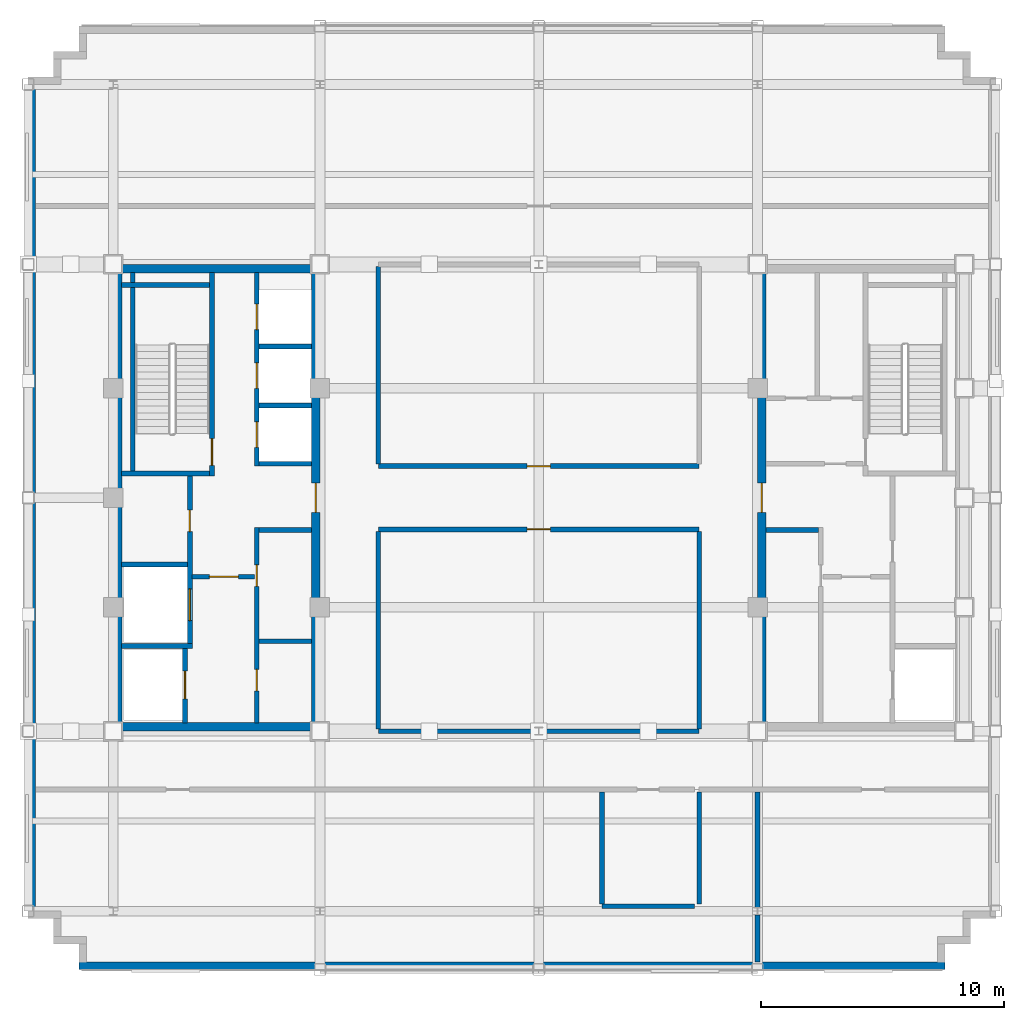
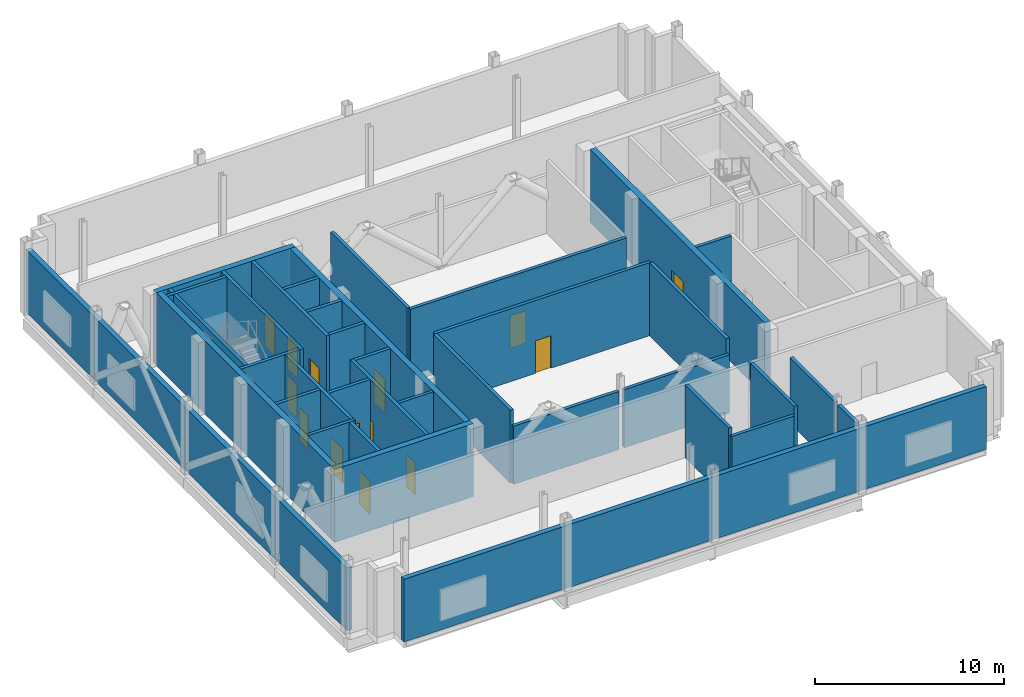
# One storey, part 6 of 12: 36 walls, 14 doors, 14 openings.
"""IFC4 building model written with IfcOpenShell, lengths in metres."""

from ifc_helpers import new_model, si_unit, direction, frame, frame_2d, origin, place, context, subcontext, project, spatial, rectangle, extrude, source, transform, mapped, material, layer, layer_set, type_object, type_shapes, element, fill, save


model = new_model("IFC4")

# Units and contexts
model_context = context("Model", 3, precision=1e-05, world=origin(), true_north=direction((0.0, 1.0)))
body_context = subcontext(model_context, "Body", "Model", "MODEL_VIEW")
ifc_project = project(units=[si_unit("LENGTHUNIT", "METRE"), si_unit("AREAUNIT", "SQUARE_METRE"), si_unit("VOLUMEUNIT", "CUBIC_METRE"), si_unit("PLANEANGLEUNIT", "RADIAN"), si_unit("MASSUNIT", "GRAM", prefix="KILO")], contexts=[model_context])

# Site, building, storey
site_placement = place(None, origin())
site = spatial("IfcSite", under=ifc_project, at=site_placement, CompositionType="ELEMENT")
building_placement = place(site_placement, origin())
building = spatial("IfcBuilding", under=site, at=building_placement, Name="Nuvemarco Arch Tower", CompositionType="ELEMENT")
storey_placement = place(building_placement, frame((0.0, 0.0, 252.949951171875)))
storey = spatial("IfcBuildingStorey", under=building, at=storey_placement, Name="L67", CompositionType="ELEMENT", Elevation=252.949951171875)

# Walls
ifc_material_1 = material(Name="Precast concrete C45/55", Category="concrete")
ifc_layer_1 = layer(ifc_material_1, 0.300048828125, Name="EW-HIGH-300")
ifc_layer_set_1 = layer_set([ifc_layer_1], Name="Precast concrete C45/55")
wall_type_1 = type_object("IfcWallType", Name="EW-HIGH-300", PredefinedType="STANDARD", material=ifc_layer_set_1)
wall_1_placement = place(storey_placement, frame((-18.89990234375, -19.25, 0.0), z_axis=(0.0, 0.0, 1.0), x_axis=(1.0, 0.0, 0.0)))
element("IfcWall", 1, at=wall_1_placement, inside=storey, type_object=wall_type_1, Name="L67 exterior precast facade wall 1", PredefinedType="STANDARD", context=body_context, shape_type="SweptSolid", body=[
    extrude(rectangle(XDim=35.599853515625, YDim=0.300048828125, at=frame_2d((17.7998046875, 0.0))), origin(), (0.0, 0.0, 1.0), 4.054931640625),
])
wall_2_placement = place(storey_placement, frame((-20.85009765625, -17.00390625, 0.0), z_axis=(0.0, 0.0, 1.0), x_axis=(0.0, 1.0, 0.0)))
element("IfcWall", 2, at=wall_2_placement, inside=storey, type_object=wall_type_1, Name="L67 exterior precast facade wall 16", PredefinedType="STANDARD", context=body_context, shape_type="SweptSolid", body=[
    extrude(rectangle(XDim=34.0078125, YDim=0.300048828125, at=frame_2d((17.00390625, 0.0))), origin(), (0.0, 0.0, 1.0), 4.054931640625),
])
ifc_material_2 = material(Name="Concrete C50/60", Category="concrete")
ifc_layer_2 = layer(ifc_material_2, 0.35009765625, Name="WL-CORE-350")
ifc_layer_set_2 = layer_set([ifc_layer_2], Name="Concrete C50/60")
wall_type_2 = type_object("IfcWallType", Name="WL-CORE-350", PredefinedType="SHEAR", material=ifc_layer_set_2)
for number, where, z_axis, x_axis, name in (
    (3, (-17.5, -9.425048828125, 0.0), (0.0, 0.0, 1.0), (1.0, 0.0, 0.0), "L67 W-core shear wall S"),
    (4, (-17.5, 9.425048828125, 0.0), (0.0, 0.0, 1.0), (1.0, 0.0, 0.0), "L67 W-core shear wall N"),
):
    element("IfcWall", number, at=place(storey_placement, frame(where, z_axis=z_axis, x_axis=x_axis)), inside=storey, type_object=wall_type_2, Name=name, PredefinedType="SHEAR", context=body_context, shape_type="SweptSolid", body=[
        extrude(rectangle(XDim=8.5, YDim=0.35009765625, at=frame_2d((4.25, 0.0))), origin(), (0.0, 0.0, 1.0), 4.719970703125),
    ])
wall_3_placement = place(storey_placement, frame((-17.324951171875, -9.2548828125, 0.0), z_axis=(0.0, 0.0, 1.0), x_axis=(0.0, 1.0, 0.0)))
element("IfcWall", 5, at=wall_3_placement, inside=storey, type_object=wall_type_2, Name="L67 W-core shear wall W", PredefinedType="SHEAR", context=body_context, shape_type="SweptSolid", body=[
    extrude(rectangle(XDim=18.509765625, YDim=0.35009765625, at=frame_2d((9.2548828125, 0.0))), origin(), (0.0, 0.0, 1.0), 4.719970703125),
])

# Wall, opening, door
wall_4_placement = place(storey_placement, frame((-9.175048828125, -9.2548828125, 0.0), z_axis=(0.0, 0.0, 1.0), x_axis=(0.0, 1.0, 0.0)))
wall_4 = element("IfcWall", 6, at=wall_4_placement, inside=storey, type_object=wall_type_2, Name="L67 W-core shear wall E", PredefinedType="SHEAR", context=body_context, shape_type="SweptSolid", body=[
    extrude(rectangle(XDim=18.509765625, YDim=0.35009765625, at=frame_2d((9.2548828125, 0.0))), origin(), (0.0, 0.0, 1.0), 4.719970703125),
])
opening_1_placement = place(wall_4_placement, frame((8.655029296875, 0.0, 0.0)))
opening_1 = element("IfcOpeningElement", 7, at=opening_1_placement, cuts=wall_4, Name="Opening FD-2", PredefinedType="OPENING", context=body_context, shape_type="SweptSolid", body=[
    extrude(rectangle(XDim=1.199951171875, YDim=2.14990234375, at=frame_2d((0.60009765625, 1.074951171875))), frame((0.0, 0.18505859375, 0.0), z_axis=(0.0, -1.0, 0.0), x_axis=(1.0, 0.0, 0.0)), (0.0, 0.0, 1.0), 0.3701171875),
])
ifc_material_3 = material(Name="Anodised steel fire door", Category="steel")
door_type_1 = type_object("IfcDoorType", Name="DR-FFLOB-FD", OperationType="NOTDEFINED", PredefinedType="DOOR", material=ifc_material_3)
shared_shape_1 = source(origin(), body_context, "Body", "SweptSolid", [
    extrude(rectangle(XDim=1.199951171875, YDim=2.14990234375, at=frame_2d((0.60009765625, 1.074951171875))), frame((0.0, 0.02490234375, 0.0), z_axis=(0.0, -1.0, 0.0), x_axis=(1.0, 0.0, 0.0)), (0.0, 0.0, 1.0), 0.050048828125),
])
type_shapes(door_type_1, [shared_shape_1])
door_1_placement = place(opening_1_placement, origin())
door_1 = element("IfcDoor", 8, at=door_1_placement, inside=storey, type_object=door_type_1, Name="L67 door FD-L67-WCORE-E", OperationType="SINGLE_SWING_LEFT", OverallHeight=2.14990234375, OverallWidth=1.199951171875, PredefinedType="DOOR", context=body_context, shape_type="MappedRepresentation", body=[
    mapped(shared_shape_1, transform((0.0, 0.0, 0.0), scale=1.0)),
])
fill(opening_1, door_1)

wall_5_placement = place(storey_placement, frame((9.175048828125, -9.2548828125, 0.0), z_axis=(0.0, 0.0, 1.0), x_axis=(0.0, 1.0, 0.0)))
wall_5 = element("IfcWall", 9, at=wall_5_placement, inside=storey, type_object=wall_type_2, Name="L67 E-core shear wall W", PredefinedType="SHEAR", context=body_context, shape_type="SweptSolid", body=[
    extrude(rectangle(XDim=18.509765625, YDim=0.35009765625, at=frame_2d((9.2548828125, 0.0))), origin(), (0.0, 0.0, 1.0), 4.719970703125),
])
opening_2_placement = place(wall_5_placement, frame((8.655029296875, 0.0, 0.0)))
opening_2 = element("IfcOpeningElement", 10, at=opening_2_placement, cuts=wall_5, Name="Opening FD-2", PredefinedType="OPENING", context=body_context, shape_type="SweptSolid", body=[
    extrude(rectangle(XDim=1.199951171875, YDim=2.14990234375, at=frame_2d((0.60009765625, 1.074951171875))), frame((0.0, 0.18505859375, 0.0), z_axis=(0.0, -1.0, 0.0), x_axis=(1.0, 0.0, 0.0)), (0.0, 0.0, 1.0), 0.3701171875),
])
door_2_placement = place(opening_2_placement, origin())
door_2 = element("IfcDoor", 11, at=door_2_placement, inside=storey, type_object=door_type_1, Name="L67 door FD-L67-ECORE-W", OperationType="SINGLE_SWING_RIGHT", OverallHeight=2.14990234375, OverallWidth=1.199951171875, PredefinedType="DOOR", context=body_context, shape_type="MappedRepresentation", body=[
    mapped(shared_shape_1, transform((0.0, 0.0, 0.0), scale=1.0)),
])
fill(opening_2, door_2)

# Walls
ifc_material_4 = material(Name="Fire-rated gypsum drywall partition")
ifc_layer_3 = layer(ifc_material_4, 0.179931640625, Name="WL-CORR-180")
ifc_layer_set_3 = layer_set([ifc_layer_3], Name="Fire-rated gypsum drywall partition")
wall_type_3 = type_object("IfcWallType", Name="WL-CORR-180", PredefinedType="PARTITIONING", material=ifc_layer_set_3)
wall_6_placement = place(storey_placement, frame((-11.5048828125, -5.89990234375, 0.0), z_axis=(0.0, 0.0, 1.0), x_axis=(1.0, 0.0, 0.0)))
element("IfcWall", 12, at=wall_6_placement, inside=storey, type_object=wall_type_3, Name="L67 interior wall IW-L67-W-RECK3", PredefinedType="PARTITIONING", context=body_context, shape_type="SweptSolid", body=[
    extrude(rectangle(XDim=2.159912109375, YDim=0.179931640625, at=frame_2d((1.080078125, 0.0))), origin(), (0.0, 0.0, 1.0), 4.7099609375),
])
ifc_layer_4 = layer(ifc_material_1, 0.199951171875, Name="WL-PLANT-200")
ifc_layer_set_4 = layer_set([ifc_layer_4], Name="Precast concrete C45/55")
wall_type_4 = type_object("IfcWallType", Name="WL-PLANT-200", PredefinedType="STANDARD", material=ifc_layer_set_4)
wall_7_placement = place(storey_placement, frame((2.60009765625, -16.800048828125, 0.0), z_axis=(0.0, 0.0, 1.0), x_axis=(1.0, 0.0, 0.0)))
element("IfcWall", 13, at=wall_7_placement, inside=storey, type_object=wall_type_4, Name="L67 interior wall IW-L67-001", PredefinedType="STANDARD", context=body_context, shape_type="SweptSolid", body=[
    extrude(rectangle(XDim=3.7998046875, YDim=0.199951171875, at=frame_2d((1.89990234375, 0.0))), origin(), (0.0, 0.0, 1.0), 4.241943359375),
])
for number, where, z_axis, x_axis, name in (
    (14, (-6.60009765625, -9.60009765625, 0.0), (0.0, 0.0, 1.0), (1.0, 0.0, 0.0), "L67 interior wall IW-L67-004"),
    (15, (0.15087890625, -9.60009765625, 0.0), (0.0, 0.0, 1.0), (1.0, 0.0, 0.0), "L67 interior wall IW-L67-005"),
):
    element("IfcWall", number, at=place(storey_placement, frame(where, z_axis=z_axis, x_axis=x_axis)), inside=storey, type_object=wall_type_4, Name=name, PredefinedType="STANDARD", context=body_context, shape_type="SweptSolid", body=[
        extrude(rectangle(XDim=6.44921875, YDim=0.199951171875, at=frame_2d((3.224609375, 0.0))), origin(), (0.0, 0.0, 1.0), 3.755126953125),
    ])

# Wall, opening, door
wall_8_placement = place(storey_placement, frame((-6.60009765625, -1.300048828125, 0.0), z_axis=(0.0, 0.0, 1.0), x_axis=(1.0, 0.0, 0.0)))
wall_8 = element("IfcWall", 16, at=wall_8_placement, inside=storey, type_object=wall_type_4, Name="L67 interior wall IW-L67-006", PredefinedType="STANDARD", context=body_context, shape_type="SweptSolid", body=[
    extrude(rectangle(XDim=13.2001953125, YDim=0.199951171875, at=frame_2d((6.60009765625, 0.0))), origin(), (0.0, 0.0, 1.0), 4.7099609375),
])
opening_3_placement = place(wall_8_placement, frame((6.1201171875, 0.0, 0.0)))
opening_3 = element("IfcOpeningElement", 17, at=opening_3_placement, cuts=wall_8, Name="Opening FD-5", PredefinedType="OPENING", context=body_context, shape_type="SweptSolid", body=[
    extrude(rectangle(XDim=0.9599609375, YDim=2.10009765625, at=frame_2d((0.47998046875, 1.050048828125))), frame((0.0, 0.10986328125, 0.0), z_axis=(0.0, -1.0, 0.0), x_axis=(1.0, 0.0, 0.0)), (0.0, 0.0, 1.0), 0.219970703125),
])
ifc_material_5 = material(Name="Timber fire door", Category="wood")
door_type_2 = type_object("IfcDoorType", Name="DR-CORR-FD", OperationType="NOTDEFINED", PredefinedType="DOOR", material=ifc_material_5)
shared_shape_2 = source(origin(), body_context, "Body", "SweptSolid", [
    extrude(rectangle(XDim=0.9599609375, YDim=2.10009765625, at=frame_2d((0.47998046875, 1.050048828125))), frame((0.0, 0.02490234375, 0.0), z_axis=(0.0, -1.0, 0.0), x_axis=(1.0, 0.0, 0.0)), (0.0, 0.0, 1.0), 0.050048828125),
])
type_shapes(door_type_2, [shared_shape_2])
door_3_placement = place(opening_3_placement, origin())
door_3 = element("IfcDoor", 18, at=door_3_placement, inside=storey, type_object=door_type_2, Name="L67 door DR-L67-PL_PUMP", OperationType="SINGLE_SWING_LEFT", OverallHeight=2.10009765625, OverallWidth=0.9599609375, PredefinedType="DOOR", context=body_context, shape_type="MappedRepresentation", body=[
    mapped(shared_shape_2, transform((0.0, 0.0, 0.0), scale=1.0)),
])
fill(opening_3, door_3)

wall_9_placement = place(storey_placement, frame((-6.60009765625, 1.300048828125, 0.0), z_axis=(0.0, 0.0, 1.0), x_axis=(1.0, 0.0, 0.0)))
wall_9 = element("IfcWall", 19, at=wall_9_placement, inside=storey, type_object=wall_type_4, Name="L67 interior wall IW-L67-007", PredefinedType="STANDARD", context=body_context, shape_type="SweptSolid", body=[
    extrude(rectangle(XDim=13.2001953125, YDim=0.199951171875, at=frame_2d((6.60009765625, 0.0))), origin(), (0.0, 0.0, 1.0), 4.7099609375),
])
opening_4_placement = place(wall_9_placement, frame((6.1201171875, 0.0, 0.0)))
opening_4 = element("IfcOpeningElement", 20, at=opening_4_placement, cuts=wall_9, Name="Opening FD-5", PredefinedType="OPENING", context=body_context, shape_type="SweptSolid", body=[
    extrude(rectangle(XDim=0.9599609375, YDim=2.10009765625, at=frame_2d((0.47998046875, 1.050048828125))), frame((0.0, 0.10986328125, 0.0), z_axis=(0.0, -1.0, 0.0), x_axis=(1.0, 0.0, 0.0)), (0.0, 0.0, 1.0), 0.219970703125),
])
door_4_placement = place(opening_4_placement, origin())
door_4 = element("IfcDoor", 21, at=door_4_placement, inside=storey, type_object=door_type_2, Name="L67 door DR-L67-PL_ELEC", OperationType="SINGLE_SWING_RIGHT", OverallHeight=2.10009765625, OverallWidth=0.9599609375, PredefinedType="DOOR", context=body_context, shape_type="MappedRepresentation", body=[
    mapped(shared_shape_2, transform((0.0, 0.0, 0.0), scale=1.0)),
])
fill(opening_4, door_4)

# Walls
for number, where, z_axis, x_axis, name in (
    (22, (-6.60009765625, -9.50390625, 0.0), (0.0, 0.0, 1.0), (0.0, 1.0, 0.0), "L67 interior wall IW-L67-011"),
    (23, (-6.60009765625, 1.39599609375, 0.0), (0.0, 0.0, 1.0), (0.0, 1.0, 0.0), "L67 interior wall IW-L67-012"),
):
    element("IfcWall", number, at=place(storey_placement, frame(where, z_axis=z_axis, x_axis=x_axis)), inside=storey, type_object=wall_type_4, Name=name, PredefinedType="STANDARD", context=body_context, shape_type="SweptSolid", body=[
        extrude(rectangle(XDim=8.10791015625, YDim=0.199951171875, at=frame_2d((4.053955078125, 0.0))), origin(), (0.0, 0.0, 1.0), 4.7099609375),
    ])
for number, where, z_axis, x_axis, name in (
    (24, (2.60009765625, -16.7041015625, 0.0), (0.0, 0.0, 1.0), (0.0, 1.0, 0.0), "L67 interior wall IW-L67-013"),
    (25, (6.60009765625, -16.7041015625, 0.0), (0.0, 0.0, 1.0), (0.0, 1.0, 0.0), "L67 interior wall IW-L67-014"),
):
    element("IfcWall", number, at=place(storey_placement, frame(where, z_axis=z_axis, x_axis=x_axis)), inside=storey, type_object=wall_type_4, Name=name, PredefinedType="STANDARD", context=body_context, shape_type="SweptSolid", body=[
        extrude(rectangle(XDim=4.608154296875, YDim=0.199951171875, at=frame_2d((2.30419921875, 0.0))), origin(), (0.0, 0.0, 1.0), 4.7099609375),
    ])
wall_10_placement = place(storey_placement, frame((6.60009765625, -9.50390625, 0.0), z_axis=(0.0, 0.0, 1.0), x_axis=(0.0, 1.0, 0.0)))
element("IfcWall", 26, at=wall_10_placement, inside=storey, type_object=wall_type_4, Name="L67 interior wall IW-L67-015", PredefinedType="STANDARD", context=body_context, shape_type="SweptSolid", body=[
    extrude(rectangle(XDim=8.10791015625, YDim=0.199951171875, at=frame_2d((4.053955078125, 0.0))), origin(), (0.0, 0.0, 1.0), 4.7099609375),
])
wall_11_placement = place(storey_placement, frame((9.0, -19.10009765625, 0.0), z_axis=(0.0, 0.0, 1.0), x_axis=(0.0, 1.0, 0.0)))
element("IfcWall", 27, at=wall_11_placement, inside=storey, type_object=wall_type_4, Name="L67 interior wall IW-L67-017", PredefinedType="STANDARD", context=body_context, shape_type="SweptSolid", body=[
    extrude(rectangle(XDim=1.94921875, YDim=0.199951171875, at=frame_2d((0.974609375, 0.0))), origin(), (0.0, 0.0, 1.0), 4.241943359375),
])
wall_12_placement = place(storey_placement, frame((9.0, -16.84912109375, 0.0), z_axis=(0.0, 0.0, 1.0), x_axis=(0.0, 1.0, 0.0)))
element("IfcWall", 28, at=wall_12_placement, inside=storey, type_object=wall_type_4, Name="L67 interior wall IW-L67-018", PredefinedType="STANDARD", context=body_context, shape_type="SweptSolid", body=[
    extrude(rectangle(XDim=4.753173828125, YDim=0.199951171875, at=frame_2d((2.37646484375, 0.0))), origin(), (0.0, 0.0, 1.0), 4.241943359375),
])

# Wall, opening, door
ifc_layer_5 = layer(ifc_material_2, 0.199951171875, Name="WL-SHAFT-220")
ifc_layer_set_5 = layer_set([ifc_layer_5], Name="Concrete C50/60")
wall_type_5 = type_object("IfcWallType", Name="WL-SHAFT-220", PredefinedType="SHEAR", material=ifc_layer_set_5)
wall_13_placement = place(storey_placement, frame((-13.43994140625, 0.89990234375, 0.0), z_axis=(0.0, 0.0, 1.0), x_axis=(0.0, 1.0, 0.0)))
wall_13 = element("IfcWall", 29, at=wall_13_placement, inside=storey, type_object=wall_type_5, Name="L67 structural shaft wall SW-L67-W-ST1E", PredefinedType="SHEAR", context=body_context, shape_type="SweptSolid", body=[
    extrude(rectangle(XDim=8.35498046875, YDim=0.199951171875, at=frame_2d((4.177490234375, 0.0))), origin(), (0.0, 0.0, 1.0), 4.719970703125),
])
opening_5_placement = place(wall_13_placement, frame((1.530029296875, 0.0, 0.0), z_axis=(0.0, 0.0, 1.0), x_axis=(-1.0, 0.0, 0.0)))
opening_5 = element("IfcOpeningElement", 30, at=opening_5_placement, cuts=wall_13, Name="Opening FD-1", PredefinedType="OPENING", context=body_context, shape_type="SweptSolid", body=[
    extrude(rectangle(XDim=1.10009765625, YDim=2.14990234375, at=frame_2d((0.550048828125, 1.074951171875))), frame((0.0, 0.10986328125, 0.0), z_axis=(0.0, -1.0, 0.0), x_axis=(1.0, 0.0, 0.0)), (0.0, 0.0, 1.0), 0.219970703125),
])
door_type_3 = type_object("IfcDoorType", Name="DR-STAIR-FD", OperationType="NOTDEFINED", PredefinedType="DOOR", material=ifc_material_3)
shared_shape_3 = source(origin(), body_context, "Body", "SweptSolid", [
    extrude(rectangle(XDim=1.10009765625, YDim=2.14990234375, at=frame_2d((0.550048828125, 1.074951171875))), frame((0.0, 0.02490234375, 0.0), z_axis=(0.0, -1.0, 0.0), x_axis=(1.0, 0.0, 0.0)), (0.0, 0.0, 1.0), 0.050048828125),
])
type_shapes(door_type_3, [shared_shape_3])
door_5_placement = place(opening_5_placement, origin())
door_5 = element("IfcDoor", 31, at=door_5_placement, inside=storey, type_object=door_type_3, Name="L67 door FD-L67-ST1", OperationType="SINGLE_SWING_RIGHT", OverallHeight=2.14990234375, OverallWidth=1.10009765625, PredefinedType="DOOR", context=body_context, shape_type="MappedRepresentation", body=[
    mapped(shared_shape_3, transform((0.0, 0.0, 0.0), scale=1.0)),
])
fill(opening_5, door_5)

# Walls
for number, where, z_axis, x_axis, name in (
    (32, (-17.155029296875, 1.0, 0.0), (0.0, 0.0, 1.0), (1.0, 0.0, 0.0), "L67 structural shaft wall SW-L67-W-ST1S"),
    (33, (-17.155029296875, 8.75, 0.0), (0.0, 0.0, 1.0), (1.0, 0.0, 0.0), "L67 structural shaft wall SW-L67-W-ST1N"),
):
    element("IfcWall", number, at=place(storey_placement, frame(where, z_axis=z_axis, x_axis=x_axis)), inside=storey, type_object=wall_type_5, Name=name, PredefinedType="SHEAR", context=body_context, shape_type="SweptSolid", body=[
        extrude(rectangle(XDim=3.6201171875, YDim=0.199951171875, at=frame_2d((1.81005859375, 0.0))), origin(), (0.0, 0.0, 1.0), 4.719970703125),
    ])
wall_14_placement = place(storey_placement, frame((-16.699951171875, 1.094970703125, 0.0), z_axis=(0.0, 0.0, 1.0), x_axis=(0.0, 1.0, 0.0)))
element("IfcWall", 34, at=wall_14_placement, inside=storey, type_object=wall_type_5, Name="L67 structural shaft wall SW-L67-W-ST1W", PredefinedType="SHEAR", context=body_context, shape_type="SweptSolid", body=[
    extrude(rectangle(XDim=8.159912109375, YDim=0.199951171875, at=frame_2d((4.080078125, 0.0))), origin(), (0.0, 0.0, 1.0), 4.719970703125),
])

# Wall, opening, door
wall_15_placement = place(storey_placement, frame((-14.550048828125, -9.2548828125, 0.0), z_axis=(0.0, 0.0, 1.0), x_axis=(0.0, 1.0, 0.0)))
wall_15 = element("IfcWall", 35, at=wall_15_placement, inside=storey, type_object=wall_type_5, Name="L67 structural shaft wall SW-L67-W-SHE", PredefinedType="SHEAR", context=body_context, shape_type="SweptSolid", body=[
    extrude(rectangle(XDim=3.059814453125, YDim=0.199951171875, at=frame_2d((1.52978515625, 0.0))), origin(), (0.0, 0.0, 1.0), 4.719970703125),
])
opening_6_placement = place(wall_15_placement, frame((0.97998046875, 0.0, 0.0)))
opening_6 = element("IfcOpeningElement", 36, at=opening_6_placement, cuts=wall_15, Name="Opening LD-2", PredefinedType="OPENING", context=body_context, shape_type="SweptSolid", body=[
    extrude(rectangle(XDim=1.14990234375, YDim=2.14990234375, at=frame_2d((0.574951171875, 1.074951171875))), frame((0.0, 0.10986328125, 0.0), z_axis=(0.0, -1.0, 0.0), x_axis=(1.0, 0.0, 0.0)), (0.0, 0.0, 1.0), 0.219970703125),
])
ifc_material_6 = material(Name="Stainless steel lift door", Category="steel")
door_type_4 = type_object("IfcDoorType", Name="DR-LIFT-FIRE", OperationType="DOUBLE_DOOR_SLIDING", PredefinedType="DOOR", material=ifc_material_6)
shared_shape_4 = source(origin(), body_context, "Body", "SweptSolid", [
    extrude(rectangle(XDim=1.14990234375, YDim=2.14990234375, at=frame_2d((0.574951171875, 1.074951171875))), frame((0.0, 0.02490234375, 0.0), z_axis=(0.0, -1.0, 0.0), x_axis=(1.0, 0.0, 0.0)), (0.0, 0.0, 1.0), 0.050048828125),
])
type_shapes(door_type_4, [shared_shape_4])
door_6_placement = place(opening_6_placement, origin())
door_6 = element("IfcDoor", 37, at=door_6_placement, inside=storey, type_object=door_type_4, Name="L67 Lift landing sliding door FFL-1", OperationType="DOUBLE_DOOR_SLIDING", OverallHeight=2.14990234375, OverallWidth=1.14990234375, PredefinedType="DOOR", context=body_context, shape_type="MappedRepresentation", body=[
    mapped(shared_shape_4, transform((0.0, 0.0, 0.0), scale=1.0)),
])
fill(opening_6, door_6)

# Wall, openings, doors
wall_16_placement = place(storey_placement, frame((-14.35009765625, -6.199951171875, 0.0), z_axis=(0.0, 0.0, 1.0), x_axis=(0.0, 1.0, 0.0)))
wall_16 = element("IfcWall", 38, at=wall_16_placement, inside=storey, type_object=wall_type_5, Name="L67 structural shaft wall SW-L67-W-SVE", PredefinedType="SHEAR", context=body_context, shape_type="SweptSolid", body=[
    extrude(rectangle(XDim=7.10498046875, YDim=0.199951171875, at=frame_2d((3.552490234375, 0.0))), origin(), (0.0, 0.0, 1.0), 4.719970703125),
])
opening_7_placement = place(wall_16_placement, frame((5.68994140625, 0.0, 0.0), z_axis=(0.0, 0.0, 1.0), x_axis=(-1.0, 0.0, 0.0)))
opening_7 = element("IfcOpeningElement", 39, at=opening_7_placement, cuts=wall_16, Name="Opening FD-4", PredefinedType="OPENING", context=body_context, shape_type="SweptSolid", body=[
    extrude(rectangle(XDim=0.8798828125, YDim=2.10009765625, at=frame_2d((0.43994140625, 1.050048828125))), frame((0.0, 0.10986328125, 0.0), z_axis=(0.0, -1.0, 0.0), x_axis=(1.0, 0.0, 0.0)), (0.0, 0.0, 1.0), 0.219970703125),
])
opening_8_placement = place(wall_16_placement, frame((1.14990234375, 0.0, 0.0)))
opening_8 = element("IfcOpeningElement", 40, at=opening_8_placement, cuts=wall_16, Name="Opening LD-3", PredefinedType="OPENING", context=body_context, shape_type="SweptSolid", body=[
    extrude(rectangle(XDim=1.300048828125, YDim=2.199951171875, at=frame_2d((0.64990234375, 1.10009765625))), frame((0.0, 0.10986328125, 0.0), z_axis=(0.0, -1.0, 0.0), x_axis=(1.0, 0.0, 0.0)), (0.0, 0.0, 1.0), 0.219970703125),
])
door_type_5 = type_object("IfcDoorType", Name="DR-RISER-FD", OperationType="NOTDEFINED", PredefinedType="DOOR", material=ifc_material_3)
shared_shape_5 = source(origin(), body_context, "Body", "SweptSolid", [
    extrude(rectangle(XDim=0.8798828125, YDim=2.10009765625, at=frame_2d((0.43994140625, 1.050048828125))), frame((0.0, 0.02490234375, 0.0), z_axis=(0.0, -1.0, 0.0), x_axis=(1.0, 0.0, 0.0)), (0.0, 0.0, 1.0), 0.050048828125),
])
type_shapes(door_type_5, [shared_shape_5])
door_7_placement = place(opening_7_placement, origin())
door_7 = element("IfcDoor", 41, at=door_7_placement, inside=storey, type_object=door_type_5, Name="L67 door FD-L67-WRIS", OperationType="SINGLE_SWING_RIGHT", OverallHeight=2.10009765625, OverallWidth=0.8798828125, PredefinedType="DOOR", context=body_context, shape_type="MappedRepresentation", body=[
    mapped(shared_shape_5, transform((0.0, 0.0, 0.0), scale=1.0)),
])
fill(opening_7, door_7)
door_type_6 = type_object("IfcDoorType", Name="DR-LIFT-SERV", OperationType="DOUBLE_DOOR_SLIDING", PredefinedType="DOOR", material=ifc_material_6)
shared_shape_6 = source(origin(), body_context, "Body", "SweptSolid", [
    extrude(rectangle(XDim=1.300048828125, YDim=2.199951171875, at=frame_2d((0.64990234375, 1.10009765625))), frame((0.0, 0.02490234375, 0.0), z_axis=(0.0, -1.0, 0.0), x_axis=(1.0, 0.0, 0.0)), (0.0, 0.0, 1.0), 0.050048828125),
])
type_shapes(door_type_6, [shared_shape_6])
door_8_placement = place(opening_8_placement, origin())
door_8 = element("IfcDoor", 42, at=door_8_placement, inside=storey, type_object=door_type_6, Name="L67 Lift landing sliding door SVL-1", OperationType="DOUBLE_DOOR_SLIDING", OverallHeight=2.199951171875, OverallWidth=1.300048828125, PredefinedType="DOOR", context=body_context, shape_type="MappedRepresentation", body=[
    mapped(shared_shape_6, transform((0.0, 0.0, 0.0), scale=1.0)),
])
fill(opening_8, door_8)

# Walls
wall_17_placement = place(storey_placement, frame((-17.155029296875, -6.10009765625, 0.0), z_axis=(0.0, 0.0, 1.0), x_axis=(1.0, 0.0, 0.0)))
element("IfcWall", 43, at=wall_17_placement, inside=storey, type_object=wall_type_5, Name="L67 structural shaft wall SW-L67-W-SH1", PredefinedType="SHEAR", context=body_context, shape_type="SweptSolid", body=[
    extrude(rectangle(XDim=2.905029296875, YDim=0.199951171875, at=frame_2d((1.45263671875, 0.0))), origin(), (0.0, 0.0, 1.0), 4.719970703125),
])
wall_18_placement = place(storey_placement, frame((-17.155029296875, -2.75, 0.0), z_axis=(0.0, 0.0, 1.0), x_axis=(1.0, 0.0, 0.0)))
element("IfcWall", 44, at=wall_18_placement, inside=storey, type_object=wall_type_5, Name="L67 structural shaft wall SW-L67-W-SH2", PredefinedType="SHEAR", context=body_context, shape_type="SweptSolid", body=[
    extrude(rectangle(XDim=2.7099609375, YDim=0.199951171875, at=frame_2d((1.35498046875, 0.0))), origin(), (0.0, 0.0, 1.0), 4.719970703125),
])

# Wall, openings, doors
wall_19_placement = place(storey_placement, frame((-11.60009765625, -9.2548828125, 0.0), z_axis=(0.0, 0.0, 1.0), x_axis=(0.0, 1.0, 0.0)))
wall_19 = element("IfcWall", 45, at=wall_19_placement, inside=storey, type_object=wall_type_5, Name="L67 structural shaft wall SW-L67-W-PLW", PredefinedType="SHEAR", context=body_context, shape_type="SweptSolid", body=[
    extrude(rectangle(XDim=8.02490234375, YDim=0.199951171875, at=frame_2d((4.012451171875, 0.0))), origin(), (0.0, 0.0, 1.0), 4.719970703125),
])
opening_9_placement = place(wall_19_placement, frame((1.31494140625, 0.0, 0.0)))
opening_9 = element("IfcOpeningElement", 46, at=opening_9_placement, cuts=wall_19, Name="Opening FD-4", PredefinedType="OPENING", context=body_context, shape_type="SweptSolid", body=[
    extrude(rectangle(XDim=0.8798828125, YDim=2.10009765625, at=frame_2d((0.43994140625, 1.050048828125))), frame((0.0, 0.10986328125, 0.0), z_axis=(0.0, -1.0, 0.0), x_axis=(1.0, 0.0, 0.0)), (0.0, 0.0, 1.0), 0.219970703125),
])
opening_10_placement = place(wall_19_placement, frame((5.614990234375, 0.0, 0.0)))
opening_10 = element("IfcOpeningElement", 47, at=opening_10_placement, cuts=wall_19, Name="Opening FD-4", PredefinedType="OPENING", context=body_context, shape_type="SweptSolid", body=[
    extrude(rectangle(XDim=0.8798828125, YDim=2.10009765625, at=frame_2d((0.43994140625, 1.050048828125))), frame((0.0, 0.10986328125, 0.0), z_axis=(0.0, -1.0, 0.0), x_axis=(1.0, 0.0, 0.0)), (0.0, 0.0, 1.0), 0.219970703125),
])
door_9_placement = place(opening_9_placement, origin())
door_9 = element("IfcDoor", 48, at=door_9_placement, inside=storey, type_object=door_type_5, Name="L67 door FD-L67-WREC1", OperationType="SINGLE_SWING_RIGHT", OverallHeight=2.10009765625, OverallWidth=0.8798828125, PredefinedType="DOOR", context=body_context, shape_type="MappedRepresentation", body=[
    mapped(shared_shape_5, transform((0.0, 0.0, 0.0), scale=1.0)),
])
fill(opening_9, door_9)
door_10_placement = place(opening_10_placement, origin())
door_10 = element("IfcDoor", 49, at=door_10_placement, inside=storey, type_object=door_type_5, Name="L67 door FD-L67-WREC2", OperationType="SINGLE_SWING_LEFT", OverallHeight=2.10009765625, OverallWidth=0.8798828125, PredefinedType="DOOR", context=body_context, shape_type="MappedRepresentation", body=[
    mapped(shared_shape_5, transform((0.0, 0.0, 0.0), scale=1.0)),
])
fill(opening_10, door_10)

# Wall, opening, door
wall_20_placement = place(storey_placement, frame((-14.2548828125, -3.25, 0.0), z_axis=(0.0, 0.0, 1.0), x_axis=(1.0, 0.0, 0.0)))
wall_20 = element("IfcWall", 50, at=wall_20_placement, inside=storey, type_object=wall_type_5, Name="L67 structural shaft wall SW-L67-W-FFN", PredefinedType="SHEAR", context=body_context, shape_type="SweptSolid", body=[
    extrude(rectangle(XDim=2.559814453125, YDim=0.199951171875, at=frame_2d((1.27978515625, 0.0))), origin(), (0.0, 0.0, 1.0), 4.719970703125),
])
opening_11_placement = place(wall_20_placement, frame((0.705078125, 0.0, 0.0)))
opening_11 = element("IfcOpeningElement", 51, at=opening_11_placement, cuts=wall_20, Name="Opening FD-2", PredefinedType="OPENING", context=body_context, shape_type="SweptSolid", body=[
    extrude(rectangle(XDim=1.199951171875, YDim=2.14990234375, at=frame_2d((0.60009765625, 1.074951171875))), frame((0.0, 0.10986328125, 0.0), z_axis=(0.0, -1.0, 0.0), x_axis=(1.0, 0.0, 0.0)), (0.0, 0.0, 1.0), 0.219970703125),
])
door_11_placement = place(opening_11_placement, origin())
door_11 = element("IfcDoor", 52, at=door_11_placement, inside=storey, type_object=door_type_1, Name="L67 door FD-L67-WFF1", OperationType="SINGLE_SWING_RIGHT", OverallHeight=2.14990234375, OverallWidth=1.199951171875, PredefinedType="DOOR", context=body_context, shape_type="MappedRepresentation", body=[
    mapped(shared_shape_1, transform((0.0, 0.0, 0.0), scale=1.0)),
])
fill(opening_11, door_11)

# Wall
wall_21_placement = place(storey_placement, frame((-11.5048828125, -1.330078125, 0.0), z_axis=(0.0, 0.0, 1.0), x_axis=(1.0, 0.0, 0.0)))
element("IfcWall", 53, at=wall_21_placement, inside=storey, type_object=wall_type_5, Name="L67 structural shaft wall SW-L67-W-PLTOP", PredefinedType="SHEAR", context=body_context, shape_type="SweptSolid", body=[
    extrude(rectangle(XDim=2.159912109375, YDim=0.199951171875, at=frame_2d((1.080078125, 0.0))), origin(), (0.0, 0.0, 1.0), 4.719970703125),
])

# Wall, openings, doors
wall_22_placement = place(storey_placement, frame((-11.60009765625, 1.300048828125, 0.0), z_axis=(0.0, 0.0, 1.0), x_axis=(0.0, 1.0, 0.0)))
wall_22 = element("IfcWall", 54, at=wall_22_placement, inside=storey, type_object=wall_type_5, Name="L67 structural shaft wall SW-L67-W-PHW", PredefinedType="SHEAR", context=body_context, shape_type="SweptSolid", body=[
    extrude(rectangle(XDim=7.954833984375, YDim=0.199951171875, at=frame_2d((3.9775390625, 0.0))), origin(), (0.0, 0.0, 1.0), 4.719970703125),
])
opening_12_placement = place(wall_22_placement, frame((0.77490234375, 0.0, 0.0)))
opening_12 = element("IfcOpeningElement", 55, at=opening_12_placement, cuts=wall_22, Name="Opening LD-1", PredefinedType="OPENING", context=body_context, shape_type="SweptSolid", body=[
    extrude(rectangle(XDim=1.050048828125, YDim=2.14990234375, at=frame_2d((0.52490234375, 1.074951171875))), frame((0.0, 0.10986328125, 0.0), z_axis=(0.0, -1.0, 0.0), x_axis=(1.0, 0.0, 0.0)), (0.0, 0.0, 1.0), 0.219970703125),
])
opening_13_placement = place(wall_22_placement, frame((3.195068359375, 0.0, 0.0)))
opening_13 = element("IfcOpeningElement", 56, at=opening_13_placement, cuts=wall_22, Name="Opening LD-1", PredefinedType="OPENING", context=body_context, shape_type="SweptSolid", body=[
    extrude(rectangle(XDim=1.050048828125, YDim=2.14990234375, at=frame_2d((0.52490234375, 1.074951171875))), frame((0.0, 0.10986328125, 0.0), z_axis=(0.0, -1.0, 0.0), x_axis=(1.0, 0.0, 0.0)), (0.0, 0.0, 1.0), 0.219970703125),
])
opening_14_placement = place(wall_22_placement, frame((5.614990234375, 0.0, 0.0)))
opening_14 = element("IfcOpeningElement", 57, at=opening_14_placement, cuts=wall_22, Name="Opening LD-1", PredefinedType="OPENING", context=body_context, shape_type="SweptSolid", body=[
    extrude(rectangle(XDim=1.050048828125, YDim=2.14990234375, at=frame_2d((0.52490234375, 1.074951171875))), frame((0.0, 0.10986328125, 0.0), z_axis=(0.0, -1.0, 0.0), x_axis=(1.0, 0.0, 0.0)), (0.0, 0.0, 1.0), 0.219970703125),
])
door_type_7 = type_object("IfcDoorType", Name="DR-LIFT-PASS", OperationType="DOUBLE_DOOR_SLIDING", PredefinedType="DOOR", material=ifc_material_6)
shared_shape_7 = source(origin(), body_context, "Body", "SweptSolid", [
    extrude(rectangle(XDim=1.050048828125, YDim=2.14990234375, at=frame_2d((0.52490234375, 1.074951171875))), frame((0.0, 0.02490234375, 0.0), z_axis=(0.0, -1.0, 0.0), x_axis=(1.0, 0.0, 0.0)), (0.0, 0.0, 1.0), 0.050048828125),
])
type_shapes(door_type_7, [shared_shape_7])
door_12_placement = place(opening_12_placement, origin())
door_12 = element("IfcDoor", 58, at=door_12_placement, inside=storey, type_object=door_type_7, Name="L67 Lift landing sliding door PH-1", OperationType="DOUBLE_DOOR_SLIDING", OverallHeight=2.14990234375, OverallWidth=1.050048828125, PredefinedType="DOOR", context=body_context, shape_type="MappedRepresentation", body=[
    mapped(shared_shape_7, transform((0.0, 0.0, 0.0), scale=1.0)),
])
fill(opening_12, door_12)
door_13_placement = place(opening_13_placement, origin())
door_13 = element("IfcDoor", 59, at=door_13_placement, inside=storey, type_object=door_type_7, Name="L67 Lift landing sliding door PH-2", OperationType="DOUBLE_DOOR_SLIDING", OverallHeight=2.14990234375, OverallWidth=1.050048828125, PredefinedType="DOOR", context=body_context, shape_type="MappedRepresentation", body=[
    mapped(shared_shape_7, transform((0.0, 0.0, 0.0), scale=1.0)),
])
fill(opening_13, door_13)
door_14_placement = place(opening_14_placement, origin())
door_14 = element("IfcDoor", 60, at=door_14_placement, inside=storey, type_object=door_type_7, Name="L67 Lift landing sliding door PH-3", OperationType="DOUBLE_DOOR_SLIDING", OverallHeight=2.14990234375, OverallWidth=1.050048828125, PredefinedType="DOOR", context=body_context, shape_type="MappedRepresentation", body=[
    mapped(shared_shape_7, transform((0.0, 0.0, 0.0), scale=1.0)),
])
fill(opening_14, door_14)

# Walls
for number, where, z_axis, x_axis, name in (
    (61, (-11.5048828125, 1.39990234375, 0.0), (0.0, 0.0, 1.0), (1.0, 0.0, 0.0), "L67 structural shaft wall SW-L67-W-PHD1"),
    (62, (-11.5048828125, 3.800048828125, 0.0), (0.0, 0.0, 1.0), (1.0, 0.0, 0.0), "L67 structural shaft wall SW-L67-W-PHD2"),
    (63, (-11.5048828125, 6.219970703125, 0.0), (0.0, 0.0, 1.0), (1.0, 0.0, 0.0), "L67 structural shaft wall SW-L67-W-PHD3"),
    (64, (9.344970703125, -1.330078125, 0.0), (0.0, 0.0, 1.0), (1.0, 0.0, 0.0), "L67 structural shaft wall SW-L67-E-PMTOP"),
):
    element("IfcWall", number, at=place(storey_placement, frame(where, z_axis=z_axis, x_axis=x_axis)), inside=storey, type_object=wall_type_5, Name=name, PredefinedType="SHEAR", context=body_context, shape_type="SweptSolid", body=[
        extrude(rectangle(XDim=2.159912109375, YDim=0.199951171875, at=frame_2d((1.080078125, 0.0))), origin(), (0.0, 0.0, 1.0), 4.719970703125),
    ])

save(model, "model.ifc")
